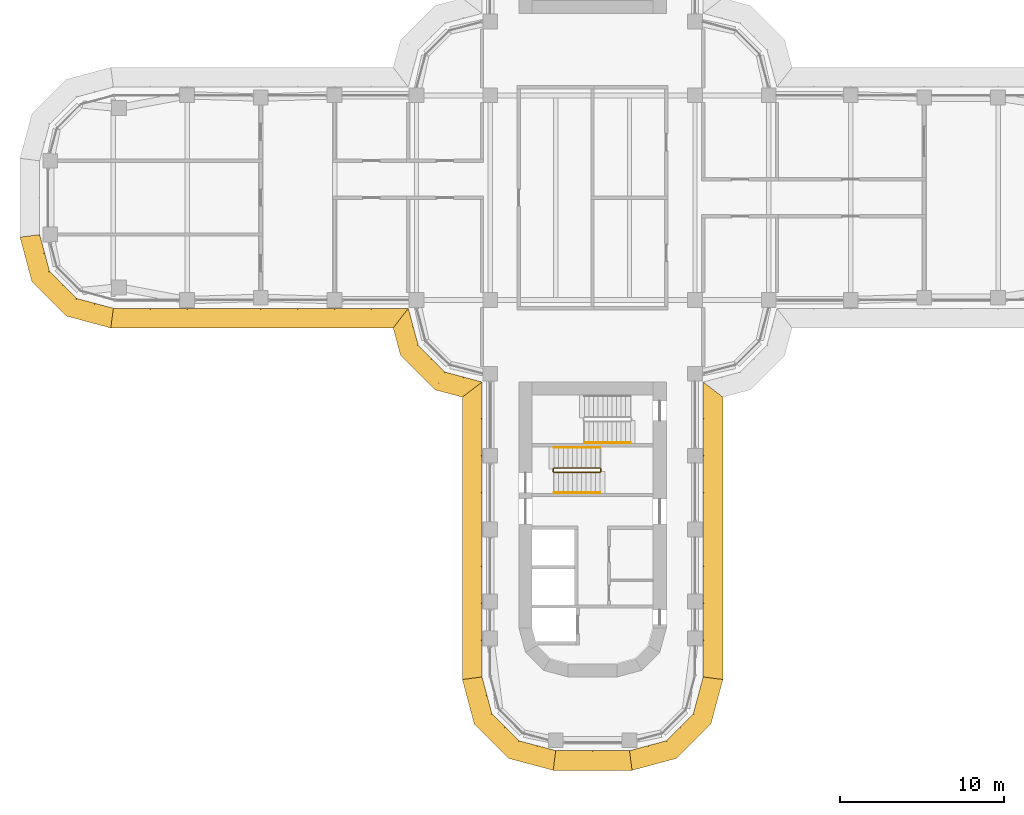
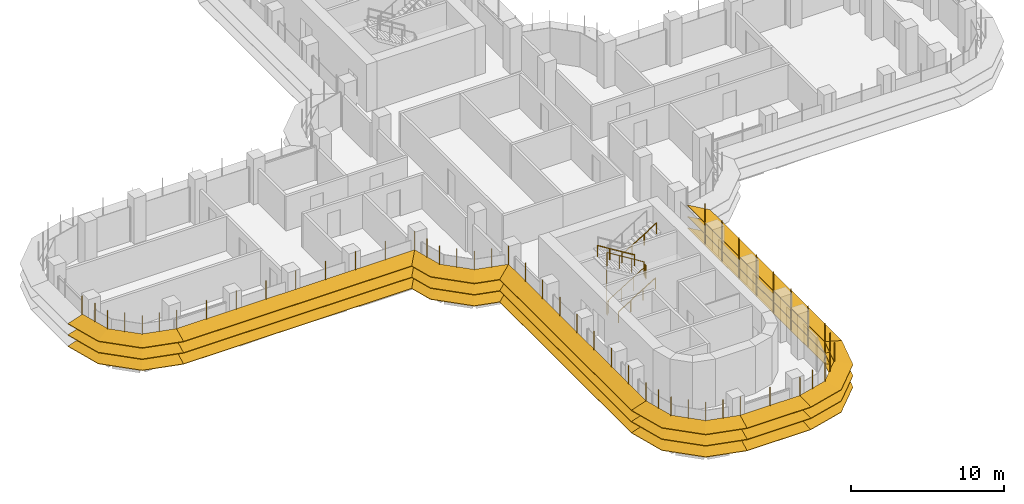
# One storey, part 19 of 22: 8 shading devices, 4 railings.
"""IFC4 building model written with IfcOpenShell, lengths in metres."""

from ifc_helpers import new_model, si_unit, direction, frame, origin, origin_2d, place, context, subcontext, project, spatial, polyline, circle, outline, extrude, faceted_brep, source, transform, mapped, material, type_object, element, save


model = new_model("IFC4")

# Units and contexts
model_context = context("Model", 3, precision=1e-05, world=origin(), true_north=direction((0.0, 1.0)))
body_context = subcontext(model_context, "Body", "Model", "MODEL_VIEW")
ifc_project = project(units=[si_unit("LENGTHUNIT", "METRE"), si_unit("AREAUNIT", "SQUARE_METRE"), si_unit("VOLUMEUNIT", "CUBIC_METRE"), si_unit("PLANEANGLEUNIT", "RADIAN"), si_unit("MASSUNIT", "GRAM", prefix="KILO")], contexts=[model_context])

# Site, building, storey
site_placement = place(None, origin())
site = spatial("IfcSite", under=ifc_project, at=site_placement, CompositionType="ELEMENT")
building_placement = place(site_placement, origin())
building = spatial("IfcBuilding", under=site, at=building_placement, Name="Zarbagh Exchange Tower", CompositionType="ELEMENT")
storey_placement = place(building_placement, frame((0.0, 0.0, 101.800048828125)))
storey = spatial("IfcBuildingStorey", under=building, at=storey_placement, Name="L23", CompositionType="ELEMENT", Elevation=101.800048828125)

# Railings
ifc_material_1 = material(Name="Stainless steel", Category="steel")
railing_type_1 = type_object("IfcRailingType", Name="Stair guard 1100 mm", PredefinedType="GUARDRAIL", material=ifc_material_1)
railing_1_placement = place(storey_placement, frame((0.449951171875, -16.5, 2.07275390625)))
element("IfcRailing", 1, at=railing_1_placement, inside=storey, type_object=railing_type_1, Name="ST3 stair guard 1", PredefinedType="GUARDRAIL", context=body_context, shape_type="SweptSolid", body=[
    extrude(circle(Radius=0.02392578125, at=origin_2d()), frame((0.0, 0.0, 1.076171875), z_axis=(-0.851089632645, 0.0, 0.525020415988), x_axis=(0.0, -1.0, 0.0)), (0.0, 0.0, 1.0), 3.2900390625),
    extrude(circle(Radius=0.02392578125, at=origin_2d()), frame((-2.800048828125, 0.0, 2.80322265625), z_axis=(-0.013104066473, -0.013168302093, -0.99982742474), x_axis=(0.708833529934, -0.705375805398, 0.0)), (0.0, 0.0, 1.0), 3.80078125),
    extrude(circle(Radius=0.02392578125, at=origin_2d()), frame((-2.849853515625, -0.050048828125, -0.99658203125), z_axis=(0.0, -1.0, 0.0), x_axis=(1.0, 0.0, 0.0)), (0.0, 0.0, 1.0), 0.14990234375),
    extrude(circle(Radius=0.02392578125, at=origin_2d()), frame((-2.849853515625, -0.199951171875, -0.99658203125), z_axis=(0.267062837333, -0.268371968888, 0.925556009775), x_axis=(0.708833529934, 0.705375805398, 0.0)), (0.0, 0.0, 1.0), 0.1865234375),
    extrude(circle(Radius=0.02392578125, at=origin_2d()), frame((-2.800048828125, -0.25, -0.82421875), z_axis=(0.851089632645, 0.0, 0.525020415988), x_axis=(0.0, 1.0, 0.0)), (0.0, 0.0, 1.0), 3.2900390625),
    extrude(circle(Radius=0.02392578125, at=origin_2d()), frame((0.0, -0.25, 0.9033203125), z_axis=(0.707106781187, 0.707106781187, 0.0), x_axis=(-0.707106781187, 0.707106781187, 0.0)), (0.0, 0.0, 1.0), 0.07080078125),
    extrude(circle(Radius=0.02392578125, at=origin_2d()), frame((0.050048828125, -0.199951171875, 0.9033203125), z_axis=(0.0, 1.0, 0.0), x_axis=(-1.0, 0.0, 0.0)), (0.0, 0.0, 1.0), 0.14990234375),
    extrude(circle(Radius=0.02099609375, at=origin_2d()), origin(), (0.0, 0.0, 1.0), 1.052001953125),
    extrude(circle(Radius=0.02099609375, at=origin_2d()), frame((-0.933349609375, 0.0, 0.57568359375)), (0.0, 0.0, 1.0), 1.052001953125),
    extrude(circle(Radius=0.02099609375, at=origin_2d()), frame((-1.86669921875, 0.0, 1.151611328125)), (0.0, 0.0, 1.0), 1.052001953125),
    extrude(circle(Radius=0.02099609375, at=origin_2d()), frame((-2.800048828125, 0.0, 1.727294921875)), (0.0, 0.0, 1.0), 1.052001953125),
    extrude(circle(Radius=0.02099609375, at=origin_2d()), frame((-2.8125, -0.012451171875, 0.77734375)), (0.0, 0.0, 1.0), 1.052001953125),
    extrude(circle(Radius=0.02099609375, at=origin_2d()), frame((-2.824951171875, -0.02490234375, -0.1728515625)), (0.0, 0.0, 1.0), 1.052001953125),
    extrude(circle(Radius=0.02099609375, at=origin_2d()), frame((-2.83740234375, -0.03759765625, -1.122802734375)), (0.0, 0.0, 1.0), 1.052001953125),
    extrude(circle(Radius=0.02099609375, at=origin_2d()), frame((-2.849853515625, -0.050048828125, -2.07275390625)), (0.0, 0.0, 1.0), 1.052001953125),
    extrude(circle(Radius=0.02099609375, at=origin_2d()), frame((-2.849853515625, -0.199951171875, -2.07275390625)), (0.0, 0.0, 1.0), 1.052001953125),
    extrude(circle(Radius=0.02099609375, at=origin_2d()), frame((-2.800048828125, -0.25, -1.900146484375)), (0.0, 0.0, 1.0), 1.052001953125),
    extrude(circle(Radius=0.02099609375, at=origin_2d()), frame((-1.86669921875, -0.25, -1.324462890625)), (0.0, 0.0, 1.0), 1.052001953125),
    extrude(circle(Radius=0.02099609375, at=origin_2d()), frame((-0.933349609375, -0.25, -0.74853515625)), (0.0, 0.0, 1.0), 1.052001953125),
    extrude(circle(Radius=0.02099609375, at=origin_2d()), frame((0.0, -0.25, -0.1728515625)), (0.0, 0.0, 1.0), 1.052001953125),
    extrude(circle(Radius=0.02099609375, at=origin_2d()), frame((0.050048828125, -0.199951171875, -0.1728515625)), (0.0, 0.0, 1.0), 1.052001953125),
    extrude(circle(Radius=0.02099609375, at=origin_2d()), frame((0.050048828125, -0.050048828125, -0.1728515625)), (0.0, 0.0, 1.0), 1.052001953125),
])
railing_type_2 = type_object("IfcRailingType", Name="Stair handrail 900 mm", PredefinedType="HANDRAIL", material=ifc_material_1)
railing_2_placement = place(storey_placement, frame((-2.35009765625, -18.0, 0.172607421875)))
element("IfcRailing", 2, at=railing_2_placement, inside=storey, type_object=railing_type_2, Name="ST3 stair handrail 1", PredefinedType="HANDRAIL", context=body_context, shape_type="SweptSolid", body=[
    extrude(circle(Radius=0.02392578125, at=origin_2d()), frame((0.0, 0.0, 0.8759765625), z_axis=(0.851089632645, 0.0, 0.525020415988), x_axis=(0.0, 1.0, 0.0)), (0.0, 0.0, 1.0), 3.2900390625),
    extrude(circle(Radius=0.02099609375, at=origin_2d()), origin(), (0.0, 0.0, 1.0), 0.851806640625),
    extrude(circle(Radius=0.02099609375, at=origin_2d()), frame((0.933349609375, 0.0, 0.57568359375)), (0.0, 0.0, 1.0), 0.851806640625),
    extrude(circle(Radius=0.02099609375, at=origin_2d()), frame((1.86669921875, 0.0, 1.151611328125)), (0.0, 0.0, 1.0), 0.851806640625),
    extrude(circle(Radius=0.02099609375, at=origin_2d()), frame((2.800048828125, 0.0, 1.727294921875)), (0.0, 0.0, 1.0), 0.851806640625),
])
railing_3_placement = place(storey_placement, frame((0.449951171875, -15.25, 2.07275390625)))
element("IfcRailing", 3, at=railing_3_placement, inside=storey, type_object=railing_type_2, Name="ST3 stair handrail 2", PredefinedType="HANDRAIL", context=body_context, shape_type="SweptSolid", body=[
    extrude(circle(Radius=0.02392578125, at=origin_2d()), frame((0.0, 0.0, 0.8759765625), z_axis=(-0.851089632645, 0.0, 0.525020415988), x_axis=(0.0, -1.0, 0.0)), (0.0, 0.0, 1.0), 3.2900390625),
    extrude(circle(Radius=0.02099609375, at=origin_2d()), origin(), (0.0, 0.0, 1.0), 0.851806640625),
    extrude(circle(Radius=0.02099609375, at=origin_2d()), frame((-0.933349609375, 0.0, 0.57568359375)), (0.0, 0.0, 1.0), 0.851806640625),
    extrude(circle(Radius=0.02099609375, at=origin_2d()), frame((-1.86669921875, 0.0, 1.151611328125)), (0.0, 0.0, 1.0), 0.851806640625),
    extrude(circle(Radius=0.02099609375, at=origin_2d()), frame((-2.800048828125, 0.0, 1.727294921875)), (0.0, 0.0, 1.0), 0.851806640625),
])
railing_4_placement = place(storey_placement, frame((-0.5, -14.949951171875, 2.07275390625)))
element("IfcRailing", 4, at=railing_4_placement, inside=storey, type_object=railing_type_2, Name="ST4 stair handrail 2", PredefinedType="HANDRAIL", context=body_context, shape_type="SweptSolid", body=[
    extrude(circle(Radius=0.02392578125, at=origin_2d()), frame((0.0, 0.0, 0.8759765625), z_axis=(0.851089632645, 0.0, 0.525020415988), x_axis=(0.0, 1.0, 0.0)), (0.0, 0.0, 1.0), 3.2900390625),
    extrude(circle(Radius=0.02099609375, at=origin_2d()), origin(), (0.0, 0.0, 1.0), 0.851806640625),
    extrude(circle(Radius=0.02099609375, at=origin_2d()), frame((0.933349609375, 0.0, 0.57568359375)), (0.0, 0.0, 1.0), 0.851806640625),
    extrude(circle(Radius=0.02099609375, at=origin_2d()), frame((1.86669921875, 0.0, 1.151611328125)), (0.0, 0.0, 1.0), 0.851806640625),
    extrude(circle(Radius=0.02099609375, at=origin_2d()), frame((2.800048828125, 0.0, 1.727294921875)), (0.0, 0.0, 1.0), 0.851806640625),
])

# Shading devices
ifc_material_2 = material(Name="Anodised aluminium blades and brackets", Category="aluminium")
shading_device_type = type_object("IfcShadingDeviceType", Name="SUNSHADE louvre band, 11.25 degree blades", PredefinedType="JALOUSIE", material=ifc_material_2)
shared_shape_1 = source(origin(), body_context, "Body", "Brep", [
    faceted_brep([(0.0, 0.0, 0.0), (0.0, 0.0, -0.040771484375), (-0.157958984375, -1.199951171875, -0.279541015625), (-0.157958984375, -1.199951171875, -0.23876953125), (2.65087890625, -1.199951171875, -0.23876953125), (2.65087890625, -1.199951171875, -0.279541015625), (2.329345703125, 0.0, -0.040771484375), (2.329345703125, 0.0, 0.0)], [[[0, 1, 2, 3]], [[4, 5, 6, 7]], [[0, 7, 6, 1]], [[1, 6, 5, 2]], [[2, 5, 4, 3]], [[3, 4, 7, 0]]]),
])
shared_shape_2 = source(origin(), body_context, "Body", "Brep", [
    faceted_brep([(0.0, 0.0, 0.0), (0.0, 0.0, -0.040771484375), (-0.321533203125, -1.199951171875, -0.279541015625), (-0.321533203125, -1.199951171875, -0.23876953125), (2.65087890625, -1.199951171875, -0.23876953125), (2.65087890625, -1.199951171875, -0.279541015625), (2.329345703125, 0.0, -0.040771484375), (2.329345703125, 0.0, 0.0)], [[[0, 1, 2, 3]], [[4, 5, 6, 7]], [[0, 7, 6, 1]], [[1, 6, 5, 2]], [[2, 5, 4, 3]], [[3, 4, 7, 0]]]),
])
shared_shape_3 = source(origin(), body_context, "Body", "Brep", [
    faceted_brep([(0.0, 0.0, 0.0), (0.0, 0.0, -0.040771484375), (-0.321533203125, -1.199951171875, -0.279541015625), (-0.321533203125, -1.199951171875, -0.23876953125), (2.4873046875, -1.199951171875, -0.23876953125), (2.4873046875, -1.199951171875, -0.279541015625), (2.329345703125, 0.0, -0.040771484375), (2.329345703125, 0.0, 0.0)], [[[0, 1, 2, 3]], [[4, 5, 6, 7]], [[0, 7, 6, 1]], [[1, 6, 5, 2]], [[2, 5, 4, 3]], [[3, 4, 7, 0]]]),
])
shared_shape_4 = source(origin(), body_context, "Body", "SweptSolid", [
    extrude(outline(polyline([(0.0, -0.012451171875), (0.06005859375, -0.012451171875), (0.06005859375, 0.012451171875), (0.0, 0.012451171875), (0.0, -0.012451171875)])), origin(), (0.0, 0.0, 1.0), 3.350830078125),
])
placement = place(storey_placement, origin())
element("IfcShadingDevice", 5, at=placement, inside=storey, type_object=shading_device_type, Name="SS01 sunshade band", PredefinedType="JALOUSIE", context=body_context, shape_type="MappedRepresentation", body=[
    mapped(shared_shape_1, transform((2.25, -33.75, 2.300048828125), x_axis=(0.965924289636, 0.258824779902, 0.0), y_axis=(-0.258824779902, 0.965924289636, 0.0), z_axis=(0.0, 0.0, 1.0))),
    mapped(shared_shape_1, transform((2.25, -33.75, 1.39990234375), x_axis=(0.965924289636, 0.258824779902, 0.0), y_axis=(-0.258824779902, 0.965924289636, 0.0), z_axis=(0.0, 0.0, 1.0))),
    mapped(shared_shape_1, transform((2.25, -33.75, 0.5), x_axis=(0.965924289636, 0.258824779902, 0.0), y_axis=(-0.258824779902, 0.965924289636, 0.0), z_axis=(0.0, 0.0, 1.0))),
    mapped(shared_shape_2, transform((4.5, -33.147216796875, 2.300048828125), x_axis=(0.707106781187, 0.707106781187, 0.0), y_axis=(-0.707106781187, 0.707106781187, 0.0), z_axis=(0.0, 0.0, 1.0))),
    mapped(shared_shape_2, transform((4.5, -33.147216796875, 1.39990234375), x_axis=(0.707106781187, 0.707106781187, 0.0), y_axis=(-0.707106781187, 0.707106781187, 0.0), z_axis=(0.0, 0.0, 1.0))),
    mapped(shared_shape_2, transform((4.5, -33.147216796875, 0.5), x_axis=(0.707106781187, 0.707106781187, 0.0), y_axis=(-0.707106781187, 0.707106781187, 0.0), z_axis=(0.0, 0.0, 1.0))),
    mapped(shared_shape_3, transform((6.147216796875, -31.5, 2.300048828125), x_axis=(0.258824779902, 0.965924289636, 0.0), y_axis=(-0.965924289636, 0.258824779902, 0.0), z_axis=(0.0, 0.0, 1.0))),
    mapped(shared_shape_3, transform((6.147216796875, -31.5, 1.39990234375), x_axis=(0.258824779902, 0.965924289636, 0.0), y_axis=(-0.965924289636, 0.258824779902, 0.0), z_axis=(0.0, 0.0, 1.0))),
    mapped(shared_shape_3, transform((6.147216796875, -31.5, 0.5), x_axis=(0.258824779902, 0.965924289636, 0.0), y_axis=(-0.965924289636, 0.258824779902, 0.0), z_axis=(0.0, 0.0, 1.0))),
    mapped(shared_shape_4, transform((2.25, -33.75, 0.42919921875), x_axis=(0.130529263012, -0.991444457092, 0.0), y_axis=(0.991444457092, 0.130529263012, 0.0), z_axis=(0.0, 0.0, 1.0))),
    mapped(shared_shape_4, transform((3.375, -33.448486328125, 0.42919921875), x_axis=(0.258825058029, -0.96592421511, 0.0), y_axis=(0.96592421511, 0.258825058029, 0.0), z_axis=(0.0, 0.0, 1.0))),
    mapped(shared_shape_4, transform((4.5, -33.147216796875, 0.42919921875), x_axis=(0.50000275701, -0.866023812018, 0.0), y_axis=(0.866023812018, 0.50000275701, 0.0), z_axis=(0.0, 0.0, 1.0))),
    mapped(shared_shape_4, transform((5.323486328125, -32.323486328125, 0.42919921875), x_axis=(0.707106781187, -0.707106781187, 0.0), y_axis=(0.707106781187, 0.707106781187, 0.0), z_axis=(0.0, 0.0, 1.0))),
    mapped(shared_shape_4, transform((6.147216796875, -31.5, 0.42919921875), x_axis=(0.866023812018, -0.50000275701, 0.0), y_axis=(0.50000275701, 0.866023812018, 0.0), z_axis=(0.0, 0.0, 1.0))),
    mapped(shared_shape_4, transform((6.448486328125, -30.375, 0.42919921875), x_axis=(0.96592421511, -0.258825058029, 0.0), y_axis=(0.258825058029, 0.96592421511, 0.0), z_axis=(0.0, 0.0, 1.0))),
])
element("IfcShadingDevice", 6, at=placement, inside=storey, type_object=shading_device_type, Name="SS19 sunshade band", PredefinedType="JALOUSIE", context=body_context, shape_type="MappedRepresentation", body=[
    mapped(shared_shape_1, transform((-33.75, -2.25, 2.300048828125), x_axis=(0.258824779902, -0.965924289636, 0.0), y_axis=(0.965924289636, 0.258824779902, 0.0), z_axis=(0.0, 0.0, 1.0))),
    mapped(shared_shape_1, transform((-33.75, -2.25, 1.39990234375), x_axis=(0.258824779902, -0.965924289636, 0.0), y_axis=(0.965924289636, 0.258824779902, 0.0), z_axis=(0.0, 0.0, 1.0))),
    mapped(shared_shape_1, transform((-33.75, -2.25, 0.5), x_axis=(0.258824779902, -0.965924289636, 0.0), y_axis=(0.965924289636, 0.258824779902, 0.0), z_axis=(0.0, 0.0, 1.0))),
    mapped(shared_shape_2, transform((-33.147216796875, -4.5, 2.300048828125), x_axis=(0.707106781187, -0.707106781187, 0.0), y_axis=(0.707106781187, 0.707106781187, 0.0), z_axis=(0.0, 0.0, 1.0))),
    mapped(shared_shape_2, transform((-33.147216796875, -4.5, 1.39990234375), x_axis=(0.707106781187, -0.707106781187, 0.0), y_axis=(0.707106781187, 0.707106781187, 0.0), z_axis=(0.0, 0.0, 1.0))),
    mapped(shared_shape_2, transform((-33.147216796875, -4.5, 0.5), x_axis=(0.707106781187, -0.707106781187, 0.0), y_axis=(0.707106781187, 0.707106781187, 0.0), z_axis=(0.0, 0.0, 1.0))),
    mapped(shared_shape_3, transform((-31.5, -6.147216796875, 2.300048828125), x_axis=(0.965924289636, -0.258824779902, 0.0), y_axis=(0.258824779902, 0.965924289636, 0.0), z_axis=(0.0, 0.0, 1.0))),
    mapped(shared_shape_3, transform((-31.5, -6.147216796875, 1.39990234375), x_axis=(0.965924289636, -0.258824779902, 0.0), y_axis=(0.258824779902, 0.965924289636, 0.0), z_axis=(0.0, 0.0, 1.0))),
    mapped(shared_shape_3, transform((-31.5, -6.147216796875, 0.5), x_axis=(0.965924289636, -0.258824779902, 0.0), y_axis=(0.258824779902, 0.965924289636, 0.0), z_axis=(0.0, 0.0, 1.0))),
    mapped(shared_shape_4, transform((-33.75, -2.25, 0.42919921875), x_axis=(-0.991444457092, -0.130529263012, 0.0), y_axis=(0.130529263012, -0.991444457092, 0.0), z_axis=(0.0, 0.0, 1.0))),
    mapped(shared_shape_4, transform((-33.448486328125, -3.375, 0.42919921875), x_axis=(-0.96592421511, -0.258825058029, 0.0), y_axis=(0.258825058029, -0.96592421511, 0.0), z_axis=(0.0, 0.0, 1.0))),
    mapped(shared_shape_4, transform((-33.147216796875, -4.5, 0.42919921875), x_axis=(-0.866023812018, -0.50000275701, 0.0), y_axis=(0.50000275701, -0.866023812018, 0.0), z_axis=(0.0, 0.0, 1.0))),
    mapped(shared_shape_4, transform((-32.323486328125, -5.323486328125, 0.42919921875), x_axis=(-0.707106781187, -0.707106781187, 0.0), y_axis=(0.707106781187, -0.707106781187, 0.0), z_axis=(0.0, 0.0, 1.0))),
    mapped(shared_shape_4, transform((-31.5, -6.147216796875, 0.42919921875), x_axis=(-0.50000275701, -0.866023812018, 0.0), y_axis=(0.866023812018, -0.50000275701, 0.0), z_axis=(0.0, 0.0, 1.0))),
    mapped(shared_shape_4, transform((-30.375, -6.448486328125, 0.42919921875), x_axis=(-0.258825058029, -0.96592421511, 0.0), y_axis=(0.96592421511, -0.258825058029, 0.0), z_axis=(0.0, 0.0, 1.0))),
])
element("IfcShadingDevice", 7, at=placement, inside=storey, type_object=shading_device_type, Name="SS23 sunshade band", PredefinedType="JALOUSIE", context=body_context, shape_type="MappedRepresentation", body=[
    mapped(shared_shape_1, transform((-6.75, -29.25, 2.300048828125), x_axis=(0.258824779902, -0.965924289636, 0.0), y_axis=(0.965924289636, 0.258824779902, 0.0), z_axis=(0.0, 0.0, 1.0))),
    mapped(shared_shape_1, transform((-6.75, -29.25, 1.39990234375), x_axis=(0.258824779902, -0.965924289636, 0.0), y_axis=(0.965924289636, 0.258824779902, 0.0), z_axis=(0.0, 0.0, 1.0))),
    mapped(shared_shape_1, transform((-6.75, -29.25, 0.5), x_axis=(0.258824779902, -0.965924289636, 0.0), y_axis=(0.965924289636, 0.258824779902, 0.0), z_axis=(0.0, 0.0, 1.0))),
    mapped(shared_shape_2, transform((-6.147216796875, -31.5, 2.300048828125), x_axis=(0.707106781187, -0.707106781187, 0.0), y_axis=(0.707106781187, 0.707106781187, 0.0), z_axis=(0.0, 0.0, 1.0))),
    mapped(shared_shape_2, transform((-6.147216796875, -31.5, 1.39990234375), x_axis=(0.707106781187, -0.707106781187, 0.0), y_axis=(0.707106781187, 0.707106781187, 0.0), z_axis=(0.0, 0.0, 1.0))),
    mapped(shared_shape_2, transform((-6.147216796875, -31.5, 0.5), x_axis=(0.707106781187, -0.707106781187, 0.0), y_axis=(0.707106781187, 0.707106781187, 0.0), z_axis=(0.0, 0.0, 1.0))),
    mapped(shared_shape_3, transform((-4.5, -33.147216796875, 2.300048828125), x_axis=(0.965924289636, -0.258824779902, 0.0), y_axis=(0.258824779902, 0.965924289636, 0.0), z_axis=(0.0, 0.0, 1.0))),
    mapped(shared_shape_3, transform((-4.5, -33.147216796875, 1.39990234375), x_axis=(0.965924289636, -0.258824779902, 0.0), y_axis=(0.258824779902, 0.965924289636, 0.0), z_axis=(0.0, 0.0, 1.0))),
    mapped(shared_shape_3, transform((-4.5, -33.147216796875, 0.5), x_axis=(0.965924289636, -0.258824779902, 0.0), y_axis=(0.258824779902, 0.965924289636, 0.0), z_axis=(0.0, 0.0, 1.0))),
    mapped(shared_shape_4, transform((-6.75, -29.25, 0.42919921875), x_axis=(-0.991444457092, -0.130529263012, 0.0), y_axis=(0.130529263012, -0.991444457092, 0.0), z_axis=(0.0, 0.0, 1.0))),
    mapped(shared_shape_4, transform((-6.448486328125, -30.375, 0.42919921875), x_axis=(-0.96592421511, -0.258825058029, 0.0), y_axis=(0.258825058029, -0.96592421511, 0.0), z_axis=(0.0, 0.0, 1.0))),
    mapped(shared_shape_4, transform((-6.147216796875, -31.5, 0.42919921875), x_axis=(-0.866023812018, -0.50000275701, 0.0), y_axis=(0.50000275701, -0.866023812018, 0.0), z_axis=(0.0, 0.0, 1.0))),
    mapped(shared_shape_4, transform((-5.323486328125, -32.323486328125, 0.42919921875), x_axis=(-0.707106781187, -0.707106781187, 0.0), y_axis=(0.707106781187, -0.707106781187, 0.0), z_axis=(0.0, 0.0, 1.0))),
    mapped(shared_shape_4, transform((-4.5, -33.147216796875, 0.42919921875), x_axis=(-0.50000275701, -0.866023812018, 0.0), y_axis=(0.866023812018, -0.50000275701, 0.0), z_axis=(0.0, 0.0, 1.0))),
    mapped(shared_shape_4, transform((-3.375, -33.448486328125, 0.42919921875), x_axis=(-0.258825058029, -0.96592421511, 0.0), y_axis=(0.96592421511, -0.258825058029, 0.0), z_axis=(0.0, 0.0, 1.0))),
])
shared_shape_5 = source(origin(), body_context, "Body", "Brep", [
    faceted_brep([(0.0, 0.0, 0.0), (0.0, 0.0, -0.040771484375), (0.9208984375, -1.199951171875, -0.279541015625), (0.9208984375, -1.199951171875, -0.23876953125), (2.65087890625, -1.199951171875, -0.23876953125), (2.65087890625, -1.199951171875, -0.279541015625), (2.329345703125, 0.0, -0.040771484375), (2.329345703125, 0.0, 0.0)], [[[0, 1, 2, 3]], [[4, 5, 6, 7]], [[0, 7, 6, 1]], [[1, 6, 5, 2]], [[2, 5, 4, 3]], [[3, 4, 7, 0]]]),
])
shared_shape_6 = source(origin(), body_context, "Body", "Brep", [
    faceted_brep([(0.0, 0.0, 0.0), (0.0, 0.0, -0.040771484375), (-0.321533203125, -1.199951171875, -0.279541015625), (-0.321533203125, -1.199951171875, -0.23876953125), (1.40869140625, -1.199951171875, -0.23876953125), (1.40869140625, -1.199951171875, -0.279541015625), (2.329345703125, 0.0, -0.040771484375), (2.329345703125, 0.0, 0.0)], [[[0, 1, 2, 3]], [[4, 5, 6, 7]], [[0, 7, 6, 1]], [[1, 6, 5, 2]], [[2, 5, 4, 3]], [[3, 4, 7, 0]]]),
])
element("IfcShadingDevice", 8, at=placement, inside=storey, type_object=shading_device_type, Name="SS21 sunshade band", PredefinedType="JALOUSIE", context=body_context, shape_type="MappedRepresentation", body=[
    mapped(shared_shape_5, transform((-11.25, -6.75, 2.300048828125), x_axis=(0.258824779902, -0.965924289636, 0.0), y_axis=(0.965924289636, 0.258824779902, 0.0), z_axis=(0.0, 0.0, 1.0))),
    mapped(shared_shape_5, transform((-11.25, -6.75, 1.39990234375), x_axis=(0.258824779902, -0.965924289636, 0.0), y_axis=(0.965924289636, 0.258824779902, 0.0), z_axis=(0.0, 0.0, 1.0))),
    mapped(shared_shape_5, transform((-11.25, -6.75, 0.5), x_axis=(0.258824779902, -0.965924289636, 0.0), y_axis=(0.965924289636, 0.258824779902, 0.0), z_axis=(0.0, 0.0, 1.0))),
    mapped(shared_shape_2, transform((-10.647216796875, -9.0, 2.300048828125), x_axis=(0.707106781187, -0.707106781187, 0.0), y_axis=(0.707106781187, 0.707106781187, 0.0), z_axis=(0.0, 0.0, 1.0))),
    mapped(shared_shape_2, transform((-10.647216796875, -9.0, 1.39990234375), x_axis=(0.707106781187, -0.707106781187, 0.0), y_axis=(0.707106781187, 0.707106781187, 0.0), z_axis=(0.0, 0.0, 1.0))),
    mapped(shared_shape_2, transform((-10.647216796875, -9.0, 0.5), x_axis=(0.707106781187, -0.707106781187, 0.0), y_axis=(0.707106781187, 0.707106781187, 0.0), z_axis=(0.0, 0.0, 1.0))),
    mapped(shared_shape_6, transform((-9.0, -10.647216796875, 2.300048828125), x_axis=(0.965924289636, -0.258824779902, 0.0), y_axis=(0.258824779902, 0.965924289636, 0.0), z_axis=(0.0, 0.0, 1.0))),
    mapped(shared_shape_6, transform((-9.0, -10.647216796875, 1.39990234375), x_axis=(0.965924289636, -0.258824779902, 0.0), y_axis=(0.258824779902, 0.965924289636, 0.0), z_axis=(0.0, 0.0, 1.0))),
    mapped(shared_shape_6, transform((-9.0, -10.647216796875, 0.5), x_axis=(0.965924289636, -0.258824779902, 0.0), y_axis=(0.258824779902, 0.965924289636, 0.0), z_axis=(0.0, 0.0, 1.0))),
    mapped(shared_shape_4, transform((-11.25, -6.75, 0.42919921875), x_axis=(-0.608758892, -0.793355287, 0.0), y_axis=(0.793355287, -0.608758892, 0.0), z_axis=(0.0, 0.0, 1.0))),
    mapped(shared_shape_4, transform((-10.948486328125, -7.875, 0.42919921875), x_axis=(-0.96592421511, -0.258825058029, 0.0), y_axis=(0.258825058029, -0.96592421511, 0.0), z_axis=(0.0, 0.0, 1.0))),
    mapped(shared_shape_4, transform((-10.647216796875, -9.0, 0.42919921875), x_axis=(-0.866023812018, -0.50000275701, 0.0), y_axis=(0.50000275701, -0.866023812018, 0.0), z_axis=(0.0, 0.0, 1.0))),
    mapped(shared_shape_4, transform((-9.823486328125, -9.823486328125, 0.42919921875), x_axis=(-0.707106781187, -0.707106781187, 0.0), y_axis=(0.707106781187, -0.707106781187, 0.0), z_axis=(0.0, 0.0, 1.0))),
    mapped(shared_shape_4, transform((-9.0, -10.647216796875, 0.42919921875), x_axis=(-0.50000275701, -0.866023812018, 0.0), y_axis=(0.866023812018, -0.50000275701, 0.0), z_axis=(0.0, 0.0, 1.0))),
    mapped(shared_shape_4, transform((-7.875, -10.948486328125, 0.42919921875), x_axis=(-0.258825058029, -0.96592421511, 0.0), y_axis=(0.96592421511, -0.258825058029, 0.0), z_axis=(0.0, 0.0, 1.0))),
])
shared_shape_7 = source(origin(), body_context, "Body", "Brep", [
    faceted_brep([(0.0, 0.0, 0.0), (0.0, 0.0, -0.040771484375), (-0.157958984375, -1.199951171875, -0.279541015625), (-0.157958984375, -1.199951171875, -0.23876953125), (17.0791015625, -1.199951171875, -0.23876953125), (17.0791015625, -1.199951171875, -0.279541015625), (18.0, 0.0, -0.040771484375), (18.0, 0.0, 0.0)], [[[0, 1, 2, 3]], [[4, 5, 6, 7]], [[0, 7, 6, 1]], [[1, 6, 5, 2]], [[2, 5, 4, 3]], [[3, 4, 7, 0]]]),
])
element("IfcShadingDevice", 9, at=placement, inside=storey, type_object=shading_device_type, Name="SS02 sunshade band", PredefinedType="JALOUSIE", context=body_context, shape_type="MappedRepresentation", body=[
    mapped(shared_shape_7, transform((6.75, -29.25, 2.300048828125), x_axis=(0.0, 1.0, 0.0), y_axis=(-1.0, 0.0, 0.0), z_axis=(0.0, 0.0, 1.0))),
    mapped(shared_shape_7, transform((6.75, -29.25, 1.39990234375), x_axis=(0.0, 1.0, 0.0), y_axis=(-1.0, 0.0, 0.0), z_axis=(0.0, 0.0, 1.0))),
    mapped(shared_shape_7, transform((6.75, -29.25, 0.5), x_axis=(0.0, 1.0, 0.0), y_axis=(-1.0, 0.0, 0.0), z_axis=(0.0, 0.0, 1.0))),
    mapped(shared_shape_4, transform((6.75, -29.25, 0.42919921875), x_axis=(0.991444457092, -0.130529263012, 0.0), y_axis=(0.130529263012, 0.991444457092, 0.0), z_axis=(0.0, 0.0, 1.0))),
    mapped(shared_shape_4, transform((6.75, -27.0, 0.42919921875), x_axis=(1.0, 0.0, 0.0), y_axis=(0.0, 1.0, 0.0), z_axis=(0.0, 0.0, 1.0))),
    mapped(shared_shape_4, transform((6.75, -24.75, 0.42919921875), x_axis=(1.0, 0.0, 0.0), y_axis=(0.0, 1.0, 0.0), z_axis=(0.0, 0.0, 1.0))),
    mapped(shared_shape_4, transform((6.75, -22.5, 0.42919921875), x_axis=(1.0, 0.0, 0.0), y_axis=(0.0, 1.0, 0.0), z_axis=(0.0, 0.0, 1.0))),
    mapped(shared_shape_4, transform((6.75, -20.25, 0.42919921875), x_axis=(1.0, 0.0, 0.0), y_axis=(0.0, 1.0, 0.0), z_axis=(0.0, 0.0, 1.0))),
    mapped(shared_shape_4, transform((6.75, -18.0, 0.42919921875), x_axis=(1.0, 0.0, 0.0), y_axis=(0.0, 1.0, 0.0), z_axis=(0.0, 0.0, 1.0))),
    mapped(shared_shape_4, transform((6.75, -15.75, 0.42919921875), x_axis=(1.0, 0.0, 0.0), y_axis=(0.0, 1.0, 0.0), z_axis=(0.0, 0.0, 1.0))),
    mapped(shared_shape_4, transform((6.75, -13.5, 0.42919921875), x_axis=(1.0, 0.0, 0.0), y_axis=(0.0, 1.0, 0.0), z_axis=(0.0, 0.0, 1.0))),
])
element("IfcShadingDevice", 10, at=placement, inside=storey, type_object=shading_device_type, Name="SS20 sunshade band", PredefinedType="JALOUSIE", context=body_context, shape_type="MappedRepresentation", body=[
    mapped(shared_shape_7, transform((-29.25, -6.75, 2.300048828125), x_axis=(1.0, 0.0, 0.0), y_axis=(0.0, 1.0, 0.0), z_axis=(0.0, 0.0, 1.0))),
    mapped(shared_shape_7, transform((-29.25, -6.75, 1.39990234375), x_axis=(1.0, 0.0, 0.0), y_axis=(0.0, 1.0, 0.0), z_axis=(0.0, 0.0, 1.0))),
    mapped(shared_shape_7, transform((-29.25, -6.75, 0.5), x_axis=(1.0, 0.0, 0.0), y_axis=(0.0, 1.0, 0.0), z_axis=(0.0, 0.0, 1.0))),
    mapped(shared_shape_4, transform((-29.25, -6.75, 0.42919921875), x_axis=(-0.130529263012, -0.991444457092, 0.0), y_axis=(0.991444457092, -0.130529263012, 0.0), z_axis=(0.0, 0.0, 1.0))),
    mapped(shared_shape_4, transform((-27.0, -6.75, 0.42919921875), x_axis=(0.0, -1.0, 0.0), y_axis=(1.0, 0.0, 0.0), z_axis=(0.0, 0.0, 1.0))),
    mapped(shared_shape_4, transform((-24.75, -6.75, 0.42919921875), x_axis=(0.0, -1.0, 0.0), y_axis=(1.0, 0.0, 0.0), z_axis=(0.0, 0.0, 1.0))),
    mapped(shared_shape_4, transform((-22.5, -6.75, 0.42919921875), x_axis=(0.0, -1.0, 0.0), y_axis=(1.0, 0.0, 0.0), z_axis=(0.0, 0.0, 1.0))),
    mapped(shared_shape_4, transform((-20.25, -6.75, 0.42919921875), x_axis=(0.0, -1.0, 0.0), y_axis=(1.0, 0.0, 0.0), z_axis=(0.0, 0.0, 1.0))),
    mapped(shared_shape_4, transform((-18.0, -6.75, 0.42919921875), x_axis=(0.0, -1.0, 0.0), y_axis=(1.0, 0.0, 0.0), z_axis=(0.0, 0.0, 1.0))),
    mapped(shared_shape_4, transform((-15.75, -6.75, 0.42919921875), x_axis=(0.0, -1.0, 0.0), y_axis=(1.0, 0.0, 0.0), z_axis=(0.0, 0.0, 1.0))),
    mapped(shared_shape_4, transform((-13.5, -6.75, 0.42919921875), x_axis=(0.0, -1.0, 0.0), y_axis=(1.0, 0.0, 0.0), z_axis=(0.0, 0.0, 1.0))),
])
shared_shape_8 = source(origin(), body_context, "Body", "Brep", [
    faceted_brep([(0.0, 0.0, 0.0), (0.0, 0.0, -0.040771484375), (0.9208984375, -1.199951171875, -0.279541015625), (0.9208984375, -1.199951171875, -0.23876953125), (18.157958984375, -1.199951171875, -0.23876953125), (18.157958984375, -1.199951171875, -0.279541015625), (18.0, 0.0, -0.040771484375), (18.0, 0.0, 0.0)], [[[0, 1, 2, 3]], [[4, 5, 6, 7]], [[0, 7, 6, 1]], [[1, 6, 5, 2]], [[2, 5, 4, 3]], [[3, 4, 7, 0]]]),
])
element("IfcShadingDevice", 11, at=placement, inside=storey, type_object=shading_device_type, Name="SS22 sunshade band", PredefinedType="JALOUSIE", context=body_context, shape_type="MappedRepresentation", body=[
    mapped(shared_shape_8, transform((-6.75, -11.25, 2.300048828125), x_axis=(0.0, -1.0, 0.0), y_axis=(1.0, 0.0, 0.0), z_axis=(0.0, 0.0, 1.0))),
    mapped(shared_shape_8, transform((-6.75, -11.25, 1.39990234375), x_axis=(0.0, -1.0, 0.0), y_axis=(1.0, 0.0, 0.0), z_axis=(0.0, 0.0, 1.0))),
    mapped(shared_shape_8, transform((-6.75, -11.25, 0.5), x_axis=(0.0, -1.0, 0.0), y_axis=(1.0, 0.0, 0.0), z_axis=(0.0, 0.0, 1.0))),
    mapped(shared_shape_4, transform((-6.75, -11.25, 0.42919921875), x_axis=(-0.793355287, -0.608758892, 0.0), y_axis=(0.608758892, -0.793355287, 0.0), z_axis=(0.0, 0.0, 1.0))),
    mapped(shared_shape_4, transform((-6.75, -13.5, 0.42919921875), x_axis=(-1.0, 0.0, 0.0), y_axis=(0.0, -1.0, 0.0), z_axis=(0.0, 0.0, 1.0))),
    mapped(shared_shape_4, transform((-6.75, -15.75, 0.42919921875), x_axis=(-1.0, 0.0, 0.0), y_axis=(0.0, -1.0, 0.0), z_axis=(0.0, 0.0, 1.0))),
    mapped(shared_shape_4, transform((-6.75, -18.0, 0.42919921875), x_axis=(-1.0, 0.0, 0.0), y_axis=(0.0, -1.0, 0.0), z_axis=(0.0, 0.0, 1.0))),
    mapped(shared_shape_4, transform((-6.75, -20.25, 0.42919921875), x_axis=(-1.0, 0.0, 0.0), y_axis=(0.0, -1.0, 0.0), z_axis=(0.0, 0.0, 1.0))),
    mapped(shared_shape_4, transform((-6.75, -22.5, 0.42919921875), x_axis=(-1.0, 0.0, 0.0), y_axis=(0.0, -1.0, 0.0), z_axis=(0.0, 0.0, 1.0))),
    mapped(shared_shape_4, transform((-6.75, -24.75, 0.42919921875), x_axis=(-1.0, 0.0, 0.0), y_axis=(0.0, -1.0, 0.0), z_axis=(0.0, 0.0, 1.0))),
    mapped(shared_shape_4, transform((-6.75, -27.0, 0.42919921875), x_axis=(-1.0, 0.0, 0.0), y_axis=(0.0, -1.0, 0.0), z_axis=(0.0, 0.0, 1.0))),
])
shared_shape_9 = source(origin(), body_context, "Body", "Brep", [
    faceted_brep([(0.0, 0.0, 0.0), (0.0, 0.0, -0.040771484375), (-0.157958984375, -1.199951171875, -0.279541015625), (-0.157958984375, -1.199951171875, -0.23876953125), (4.657958984375, -1.199951171875, -0.23876953125), (4.657958984375, -1.199951171875, -0.279541015625), (4.5, 0.0, -0.040771484375), (4.5, 0.0, 0.0)], [[[0, 1, 2, 3]], [[4, 5, 6, 7]], [[0, 7, 6, 1]], [[1, 6, 5, 2]], [[2, 5, 4, 3]], [[3, 4, 7, 0]]]),
])
element("IfcShadingDevice", 12, at=placement, inside=storey, type_object=shading_device_type, Name="SS24 sunshade band", PredefinedType="JALOUSIE", context=body_context, shape_type="MappedRepresentation", body=[
    mapped(shared_shape_9, transform((-2.25, -33.75, 2.300048828125), x_axis=(1.0, 0.0, 0.0), y_axis=(0.0, 1.0, 0.0), z_axis=(0.0, 0.0, 1.0))),
    mapped(shared_shape_9, transform((-2.25, -33.75, 1.39990234375), x_axis=(1.0, 0.0, 0.0), y_axis=(0.0, 1.0, 0.0), z_axis=(0.0, 0.0, 1.0))),
    mapped(shared_shape_9, transform((-2.25, -33.75, 0.5), x_axis=(1.0, 0.0, 0.0), y_axis=(0.0, 1.0, 0.0), z_axis=(0.0, 0.0, 1.0))),
    mapped(shared_shape_4, transform((-2.25, -33.75, 0.42919921875), x_axis=(-0.130529263012, -0.991444457092, 0.0), y_axis=(0.991444457092, -0.130529263012, 0.0), z_axis=(0.0, 0.0, 1.0))),
    mapped(shared_shape_4, transform((0.0, -33.75, 0.42919921875), x_axis=(0.0, -1.0, 0.0), y_axis=(1.0, 0.0, 0.0), z_axis=(0.0, 0.0, 1.0))),
])

save(model, "model.ifc")
